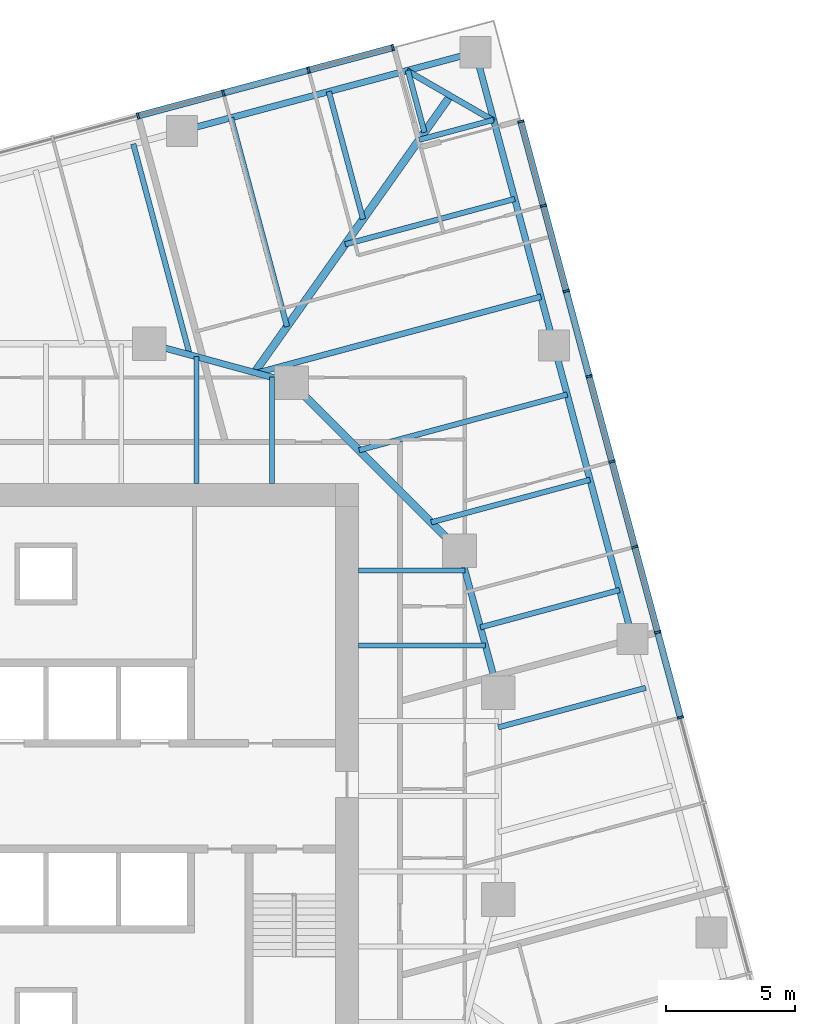
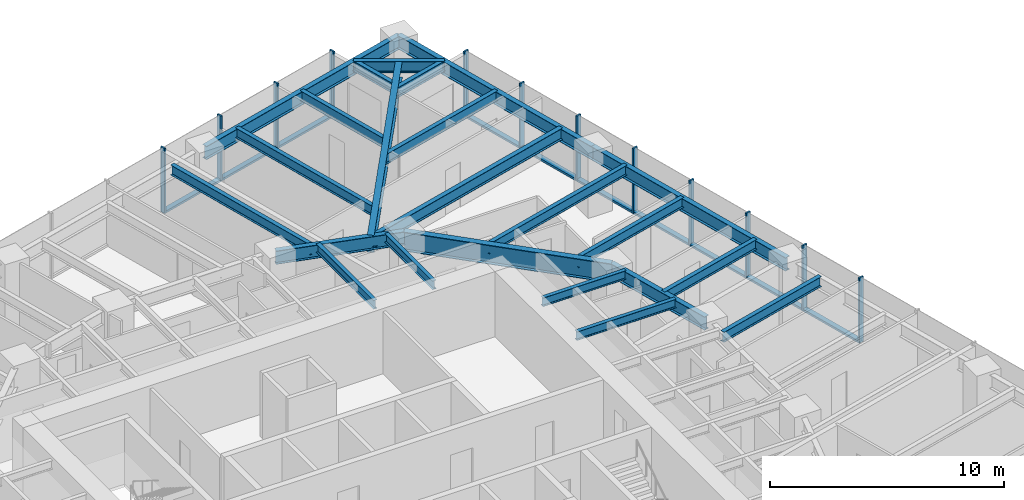
# One storey, part 6 of 14: 23 beams, 22 members, 2 elements without a shape of their own.
"""IFC4 building model written with IfcOpenShell, lengths in metres."""

from ifc_helpers import new_model, si_unit, direction, frame, origin, origin_2d, place, context, subcontext, project, spatial, rectangle, i_section, extrude, material, material_profile, profile_set, type_object, element, aggregate, save


model = new_model("IFC4")

# Units and contexts
model_context = context("Model", 3, precision=1e-05, world=origin(), true_north=direction((0.0, 1.0)))
body_context = subcontext(model_context, "Body", "Model", "MODEL_VIEW")
ifc_project = project(units=[si_unit("LENGTHUNIT", "METRE"), si_unit("AREAUNIT", "SQUARE_METRE"), si_unit("VOLUMEUNIT", "CUBIC_METRE"), si_unit("PLANEANGLEUNIT", "RADIAN"), si_unit("MASSUNIT", "GRAM", prefix="KILO")], contexts=[model_context])

# Site, building, storey
site_placement = place(None, origin())
site = spatial("IfcSite", under=ifc_project, at=site_placement, CompositionType="ELEMENT")
building_placement = place(site_placement, origin())
building = spatial("IfcBuilding", under=site, at=building_placement, Name="Torsade Residences", CompositionType="ELEMENT")
storey_placement = place(building_placement, frame((0.0, 0.0, 121.800048828125)))
storey = spatial("IfcBuildingStorey", under=building, at=storey_placement, Name="L33", CompositionType="ELEMENT", Elevation=121.800048828125)

# Beams
ifc_material_1 = material(Name="Steel grade 300", Category="steel")
ifc_material_profile_1 = material_profile(ifc_material_1, i_section(OverallWidth=0.300048828125, OverallDepth=0.89990234375, WebThickness=0.011962890625, FlangeThickness=0.02490234375, at=origin_2d()), Name="900WB175")
ifc_profile_set_1 = profile_set([ifc_material_profile_1], Name="Steel grade 300")
beam_type_1 = type_object("IfcBeamType", Name="CORNER GIRDER 900WB175", PredefinedType="BEAM", material=ifc_profile_set_1)
beam_1_placement = place(storey_placement, frame((55.644775390625, 57.097412109375, 2.800048828125), z_axis=(-0.577683167004, -0.816261084801, 0.0), x_axis=(0.816261084801, -0.577683167004, 0.0)))
element("IfcBeam", 1, at=beam_1_placement, inside=storey, type_object=beam_type_1, Name="Corner girder 09 L34", PredefinedType="BEAM", context=body_context, shape_type="SweptSolid", body=[
    extrude(i_section(OverallWidth=0.300048828125, OverallDepth=0.89990234375, WebThickness=0.011962890625, FlangeThickness=0.02490234375, at=origin_2d()), origin(), (0.0, 0.0, 1.0), 13.116943359375),
])
ifc_material_2 = material(Name="Steel grade 300", Category="steel")
ifc_material_profile_2 = material_profile(ifc_material_2, i_section(OverallWidth=0.22802734375, OverallDepth=0.60205078125, WebThickness=0.010498046875, FlangeThickness=0.014892578125, FilletRadius=0.013916015625, at=origin_2d()), Name="610UB101")
ifc_profile_set_2 = profile_set([ifc_material_profile_2], Name="Steel grade 300")
beam_type_2 = type_object("IfcBeamType", Name="CORNER TRIMMER 610UB101", PredefinedType="BEAM", material=ifc_profile_set_2)
beam_2_placement = place(storey_placement, frame((53.960693359375, 58.06982421875, 2.948974609375), z_axis=(0.866028782848, -0.499994147244, 0.0), x_axis=(0.499994147244, 0.866028782848, 0.0)))
element("IfcBeam", 2, at=beam_2_placement, inside=storey, type_object=beam_type_2, Name="Corner trimmer 09 L34", PredefinedType="BEAM", context=body_context, shape_type="SweptSolid", body=[
    extrude(i_section(OverallWidth=0.22802734375, OverallDepth=0.60205078125, WebThickness=0.010498046875, FlangeThickness=0.014892578125, FilletRadius=0.013916015625, at=origin_2d()), origin(), (0.0, 0.0, 1.0), 3.88916015625),
])
ifc_material_3 = material(Name="Steel grade 300", Category="steel")
ifc_material_profile_3 = material_profile(ifc_material_3, i_section(OverallWidth=0.25, OverallDepth=0.699951171875, WebThickness=0.010009765625, FlangeThickness=0.02001953125, at=origin_2d()), Name="700WB130")
ifc_profile_set_3 = profile_set([ifc_material_profile_3], Name="Steel grade 300")
beam_type_3 = type_object("IfcBeamType", Name="EDGE BEAM 700WB130", PredefinedType="SPANDREL", material=ifc_profile_set_3)
for number, where, z_axis, x_axis, name in (
    (3, (62.69921875, 36.082275390625, 2.89990234375), (-0.258810863021, 0.965928018634, 0.0), (-0.965928018634, -0.258810863021, 0.0), "Edge beam 07 L34"),
    (4, (59.658203125, 47.431884765625, 2.89990234375), (-0.258830249097, 0.965922824118, 0.0), (-0.965922824118, -0.258830249097, 0.0), "Edge beam 08 L34"),
    (5, (56.616943359375, 58.781494140625, 2.89990234375), (-0.965928018634, -0.258810863021, 0.0), (0.258810863021, -0.965928018634, 0.0), "Edge beam 09 L34"),
):
    element("IfcBeam", number, at=place(storey_placement, frame(where, z_axis=z_axis, x_axis=x_axis)), inside=storey, type_object=beam_type_3, Name=name, PredefinedType="SPANDREL", context=body_context, shape_type="SweptSolid", body=[
        extrude(i_section(OverallWidth=0.25, OverallDepth=0.699951171875, WebThickness=0.010009765625, FlangeThickness=0.02001953125, at=origin_2d()), origin(), (0.0, 0.0, 1.0), 11.75),
    ])
ifc_material_4 = material(Name="Steel grade 300", Category="steel")
ifc_material_profile_4 = material_profile(ifc_material_4, i_section(OverallWidth=0.18994140625, OverallDepth=0.4541015625, WebThickness=0.008544921875, FlangeThickness=0.0126953125, FilletRadius=0.011474609375, at=origin_2d()), Name="460UB67.1")
ifc_profile_set_4 = profile_set([ifc_material_profile_4], Name="Steel grade 300")
beam_type_4 = type_object("IfcBeamType", Name="INNER FLOOR BEAM 460UB67.1", PredefinedType="JOIST", material=ifc_profile_set_4)
beam_3_placement = place(storey_placement, frame((45.824951171875, 42.10009765625, 3.02294921875), z_axis=(0.0, 1.0, 0.0), x_axis=(-1.0, 0.0, 0.0)))
element("IfcBeam", 6, at=beam_3_placement, inside=storey, type_object=beam_type_4, Name="Inner floor beam IN06 L34", PredefinedType="JOIST", context=body_context, shape_type="SweptSolid", body=[
    extrude(i_section(OverallWidth=0.18994140625, OverallDepth=0.4541015625, WebThickness=0.008544921875, FlangeThickness=0.0126953125, FilletRadius=0.011474609375, at=origin_2d()), origin(), (0.0, 0.0, 1.0), 4.902099609375),
])
beam_4_placement = place(storey_placement, frame((48.737548828125, 42.10009765625, 3.02294921875), z_axis=(0.0, 1.0, 0.0), x_axis=(-1.0, 0.0, 0.0)))
element("IfcBeam", 7, at=beam_4_placement, inside=storey, type_object=beam_type_4, Name="Inner floor beam IN07 L34", PredefinedType="JOIST", context=body_context, shape_type="SweptSolid", body=[
    extrude(i_section(OverallWidth=0.18994140625, OverallDepth=0.4541015625, WebThickness=0.008544921875, FlangeThickness=0.0126953125, FilletRadius=0.011474609375, at=origin_2d()), origin(), (0.0, 0.0, 1.0), 4.10791015625),
])
beam_5_placement = place(storey_placement, frame((52.10009765625, 35.824951171875, 3.02294921875), z_axis=(1.0, 0.0, 0.0), x_axis=(0.0, 1.0, 0.0)))
element("IfcBeam", 8, at=beam_5_placement, inside=storey, type_object=beam_type_4, Name="Inner floor beam IE06 L34", PredefinedType="JOIST", context=body_context, shape_type="SweptSolid", body=[
    extrude(i_section(OverallWidth=0.18994140625, OverallDepth=0.4541015625, WebThickness=0.008544921875, FlangeThickness=0.0126953125, FilletRadius=0.011474609375, at=origin_2d()), origin(), (0.0, 0.0, 1.0), 4.902099609375),
])
beam_6_placement = place(storey_placement, frame((52.10009765625, 38.737548828125, 3.02294921875), z_axis=(1.0, 0.0, 0.0), x_axis=(0.0, 1.0, 0.0)))
element("IfcBeam", 9, at=beam_6_placement, inside=storey, type_object=beam_type_4, Name="Inner floor beam IE07 L34", PredefinedType="JOIST", context=body_context, shape_type="SweptSolid", body=[
    extrude(i_section(OverallWidth=0.18994140625, OverallDepth=0.4541015625, WebThickness=0.008544921875, FlangeThickness=0.0126953125, FilletRadius=0.011474609375, at=origin_2d()), origin(), (0.0, 0.0, 1.0), 4.10791015625),
])

# Curtain wall, members
ifc_material_5 = material(Name="Aluminium and glass", Category="aluminium")
curtain_wall_type = type_object("IfcCurtainWallType", Name="FRITTED GLASS CURTAIN WALL MID ZONE", PredefinedType="NOTDEFINED", material=ifc_material_5)
curtain_wall_1_placement = place(storey_placement, origin())
curtain_wall_1 = element("IfcCurtainWall", 10, at=curtain_wall_1_placement, inside=storey, type_object=curtain_wall_type, Name="Curtain wall L33 face 4", PredefinedType="NOTDEFINED")
ifc_material_6 = material(Name="Aluminium mullion", Category="aluminium")
ifc_material_profile_5 = material_profile(ifc_material_6, rectangle(XDim=0.25, YDim=0.080078125, at=origin_2d()), Name="MID ZONE CURTAIN WALL MULLION 250x80")
ifc_profile_set_5 = profile_set([ifc_material_profile_5], Name="Aluminium mullion")
member_type_1 = type_object("IfcMemberType", Name="MID ZONE CURTAIN WALL MULLION 250x80", PredefinedType="MULLION", material=ifc_profile_set_5)
member_1_placement = place(storey_placement, frame((64.549560546875, 33.040771484375, 0.0), z_axis=(0.0, 0.0, 1.0), x_axis=(-0.965925825571, -0.258819047783, 0.0)))
member_1 = element("IfcMember", 11, at=member_1_placement, type_object=member_type_1, Name="Mullion 6", PredefinedType="MULLION", context=body_context, shape_type="SweptSolid", body=[
    extrude(rectangle(XDim=0.25, YDim=0.080078125, at=origin_2d()), origin(), (0.0, 0.0, 1.0), 3.39990234375),
])
member_2_placement = place(storey_placement, frame((63.665283203125, 36.341064453125, 0.0), z_axis=(0.0, 0.0, 1.0), x_axis=(-0.965925825571, -0.258819047783, 0.0)))
member_2 = element("IfcMember", 12, at=member_2_placement, type_object=member_type_1, Name="Mullion 7", PredefinedType="MULLION", context=body_context, shape_type="SweptSolid", body=[
    extrude(rectangle(XDim=0.25, YDim=0.080078125, at=origin_2d()), origin(), (0.0, 0.0, 1.0), 3.39990234375),
])
member_3_placement = place(storey_placement, frame((62.781005859375, 39.641357421875, 0.0), z_axis=(0.0, 0.0, 1.0), x_axis=(-0.965925825571, -0.258819047783, 0.0)))
member_3 = element("IfcMember", 13, at=member_3_placement, type_object=member_type_1, Name="Mullion 8", PredefinedType="MULLION", context=body_context, shape_type="SweptSolid", body=[
    extrude(rectangle(XDim=0.25, YDim=0.080078125, at=origin_2d()), origin(), (0.0, 0.0, 1.0), 3.39990234375),
])
member_4_placement = place(storey_placement, frame((61.896484375, 42.941650390625, 0.0), z_axis=(0.0, 0.0, 1.0), x_axis=(-0.965925825571, -0.258819047783, 0.0)))
member_4 = element("IfcMember", 14, at=member_4_placement, type_object=member_type_1, Name="Mullion 9", PredefinedType="MULLION", context=body_context, shape_type="SweptSolid", body=[
    extrude(rectangle(XDim=0.25, YDim=0.080078125, at=origin_2d()), origin(), (0.0, 0.0, 1.0), 3.39990234375),
])
member_5_placement = place(storey_placement, frame((61.01220703125, 46.24169921875, 0.0), z_axis=(0.0, 0.0, 1.0), x_axis=(-0.965925825571, -0.258819047783, 0.0)))
member_5 = element("IfcMember", 15, at=member_5_placement, type_object=member_type_1, Name="Mullion 10", PredefinedType="MULLION", context=body_context, shape_type="SweptSolid", body=[
    extrude(rectangle(XDim=0.25, YDim=0.080078125, at=origin_2d()), origin(), (0.0, 0.0, 1.0), 3.39990234375),
])
member_6_placement = place(storey_placement, frame((60.1279296875, 49.5419921875, 0.0), z_axis=(0.0, 0.0, 1.0), x_axis=(-0.965925825571, -0.258819047783, 0.0)))
member_6 = element("IfcMember", 16, at=member_6_placement, type_object=member_type_1, Name="Mullion 11", PredefinedType="MULLION", context=body_context, shape_type="SweptSolid", body=[
    extrude(rectangle(XDim=0.25, YDim=0.080078125, at=origin_2d()), origin(), (0.0, 0.0, 1.0), 3.39990234375),
])
member_7_placement = place(storey_placement, frame((59.24365234375, 52.84228515625, 0.0), z_axis=(0.0, 0.0, 1.0), x_axis=(-0.965925825571, -0.258819047783, 0.0)))
member_7 = element("IfcMember", 17, at=member_7_placement, type_object=member_type_1, Name="Mullion 12", PredefinedType="MULLION", context=body_context, shape_type="SweptSolid", body=[
    extrude(rectangle(XDim=0.25, YDim=0.080078125, at=origin_2d()), origin(), (0.0, 0.0, 1.0), 3.39990234375),
])
member_8_placement = place(storey_placement, frame((58.36962890625, 56.10400390625, 0.0), z_axis=(0.0, 0.0, 1.0), x_axis=(-0.965925825571, -0.258819047783, 0.0)))
member_8 = element("IfcMember", 18, at=member_8_placement, type_object=member_type_1, Name="Mullion 13", PredefinedType="MULLION", context=body_context, shape_type="SweptSolid", body=[
    extrude(rectangle(XDim=0.25, YDim=0.080078125, at=origin_2d()), origin(), (0.0, 0.0, 1.0), 3.39990234375),
])

curtain_wall_2_placement = place(storey_placement, origin())
curtain_wall_2 = element("IfcCurtainWall", 19, at=curtain_wall_2_placement, inside=storey, type_object=curtain_wall_type, Name="Curtain wall L33 face 7", PredefinedType="NOTDEFINED")
member_9_placement = place(storey_placement, frame((53.421875, 58.960693359375, 0.0), z_axis=(0.0, 0.0, 1.0), x_axis=(0.258819047783, -0.965925825571, 0.0)))
member_9 = element("IfcMember", 20, at=member_9_placement, type_object=member_type_1, Name="Mullion 1", PredefinedType="MULLION", context=body_context, shape_type="SweptSolid", body=[
    extrude(rectangle(XDim=0.25, YDim=0.080078125, at=origin_2d()), origin(), (0.0, 0.0, 1.0), 3.39990234375),
])
member_10_placement = place(storey_placement, frame((50.16015625, 58.086669921875, 0.0), z_axis=(0.0, 0.0, 1.0), x_axis=(0.258819047783, -0.965925825571, 0.0)))
member_10 = element("IfcMember", 21, at=member_10_placement, type_object=member_type_1, Name="Mullion 2", PredefinedType="MULLION", context=body_context, shape_type="SweptSolid", body=[
    extrude(rectangle(XDim=0.25, YDim=0.080078125, at=origin_2d()), origin(), (0.0, 0.0, 1.0), 3.39990234375),
])
member_11_placement = place(storey_placement, frame((46.85986328125, 57.202392578125, 0.0), z_axis=(0.0, 0.0, 1.0), x_axis=(0.258819047783, -0.965925825571, 0.0)))
member_11 = element("IfcMember", 22, at=member_11_placement, type_object=member_type_1, Name="Mullion 3", PredefinedType="MULLION", context=body_context, shape_type="SweptSolid", body=[
    extrude(rectangle(XDim=0.25, YDim=0.080078125, at=origin_2d()), origin(), (0.0, 0.0, 1.0), 3.39990234375),
])
member_12_placement = place(storey_placement, frame((43.5595703125, 56.318115234375, 0.0), z_axis=(0.0, 0.0, 1.0), x_axis=(0.258819047783, -0.965925825571, 0.0)))
member_12 = element("IfcMember", 23, at=member_12_placement, type_object=member_type_1, Name="Mullion 4", PredefinedType="MULLION", context=body_context, shape_type="SweptSolid", body=[
    extrude(rectangle(XDim=0.25, YDim=0.080078125, at=origin_2d()), origin(), (0.0, 0.0, 1.0), 3.39990234375),
])

# Member
ifc_material_7 = material(Name="Aluminium transom", Category="aluminium")
ifc_material_profile_6 = material_profile(ifc_material_7, rectangle(XDim=0.25, YDim=0.110107421875, at=origin_2d()), Name="MID ZONE CURTAIN WALL TRANSOM 250x110")
ifc_profile_set_6 = profile_set([ifc_material_profile_6], Name="Aluminium transom")
member_type_2 = type_object("IfcMemberType", Name="MID ZONE CURTAIN WALL TRANSOM 250x110", PredefinedType="USERDEFINED", material=ifc_profile_set_6)
member_13_placement = place(storey_placement, frame((64.5390625, 33.079345703125, 0.054931640625), z_axis=(-0.258787285653, 0.965934335648, 0.0), x_axis=(-0.965934335648, -0.258787285653, 0.0)))
member_13 = element("IfcMember", 24, at=member_13_placement, type_object=member_type_2, Name="Transom 6.1", ObjectType="TRANSOM", PredefinedType="USERDEFINED", context=body_context, shape_type="SweptSolid", body=[
    extrude(rectangle(XDim=0.25, YDim=0.110107421875, at=origin_2d()), origin(), (0.0, 0.0, 1.0), 3.3369140625),
])

member_14_placement = place(storey_placement, frame((63.65478515625, 36.379638671875, 0.054931640625), z_axis=(-0.258787285653, 0.965934335648, 0.0), x_axis=(-0.965934335648, -0.258787285653, 0.0)))
member_14 = element("IfcMember", 25, at=member_14_placement, type_object=member_type_2, Name="Transom 7.1", ObjectType="TRANSOM", PredefinedType="USERDEFINED", context=body_context, shape_type="SweptSolid", body=[
    extrude(rectangle(XDim=0.25, YDim=0.110107421875, at=origin_2d()), origin(), (0.0, 0.0, 1.0), 3.3369140625),
])

member_15_placement = place(storey_placement, frame((62.7705078125, 39.679931640625, 0.054931640625), z_axis=(-0.258805576255, 0.965929435155, 0.0), x_axis=(-0.965929435155, -0.258805576255, 0.0)))
member_15 = element("IfcMember", 26, at=member_15_placement, type_object=member_type_2, Name="Transom 8.1", ObjectType="TRANSOM", PredefinedType="USERDEFINED", context=body_context, shape_type="SweptSolid", body=[
    extrude(rectangle(XDim=0.25, YDim=0.110107421875, at=origin_2d()), origin(), (0.0, 0.0, 1.0), 3.336669921875),
])

member_16_placement = place(storey_placement, frame((61.88623046875, 42.980224609375, 0.054931640625), z_axis=(-0.258805576255, 0.965929435155, 0.0), x_axis=(-0.965929435155, -0.258805576255, 0.0)))
member_16 = element("IfcMember", 27, at=member_16_placement, type_object=member_type_2, Name="Transom 9.1", ObjectType="TRANSOM", PredefinedType="USERDEFINED", context=body_context, shape_type="SweptSolid", body=[
    extrude(rectangle(XDim=0.25, YDim=0.110107421875, at=origin_2d()), origin(), (0.0, 0.0, 1.0), 3.336669921875),
])

member_17_placement = place(storey_placement, frame((61.001953125, 46.280517578125, 0.054931640625), z_axis=(-0.258805576255, 0.965929435155, 0.0), x_axis=(-0.965929435155, -0.258805576255, 0.0)))
member_17 = element("IfcMember", 28, at=member_17_placement, type_object=member_type_2, Name="Transom 10.1", ObjectType="TRANSOM", PredefinedType="USERDEFINED", context=body_context, shape_type="SweptSolid", body=[
    extrude(rectangle(XDim=0.25, YDim=0.110107421875, at=origin_2d()), origin(), (0.0, 0.0, 1.0), 3.336669921875),
])

member_18_placement = place(storey_placement, frame((60.11767578125, 49.580810546875, 0.054931640625), z_axis=(-0.258805576255, 0.965929435155, 0.0), x_axis=(-0.965929435155, -0.258805576255, 0.0)))
member_18 = element("IfcMember", 29, at=member_18_placement, type_object=member_type_2, Name="Transom 11.1", ObjectType="TRANSOM", PredefinedType="USERDEFINED", context=body_context, shape_type="SweptSolid", body=[
    extrude(rectangle(XDim=0.25, YDim=0.110107421875, at=origin_2d()), origin(), (0.0, 0.0, 1.0), 3.336669921875),
])

member_19_placement = place(storey_placement, frame((59.2333984375, 52.880859375, 0.054931640625), z_axis=(-0.258828627534, 0.965923258633, 0.0), x_axis=(-0.965923258633, -0.258828627534, 0.0)))
member_19 = element("IfcMember", 30, at=member_19_placement, type_object=member_type_2, Name="Transom 12.1", ObjectType="TRANSOM", PredefinedType="USERDEFINED", context=body_context, shape_type="SweptSolid", body=[
    extrude(rectangle(XDim=0.25, YDim=0.110107421875, at=origin_2d()), origin(), (0.0, 0.0, 1.0), 3.296630859375),
])

aggregate(curtain_wall_1, [member_1, member_2, member_3, member_4, member_5, member_6, member_7, member_8, member_13, member_14, member_15, member_16, member_17, member_18, member_19])

member_20_placement = place(storey_placement, frame((53.383056640625, 58.9501953125, 0.054931640625), z_axis=(-0.965923258633, -0.258828627534, 0.0), x_axis=(0.258828627534, -0.965923258633, 0.0)))
member_20 = element("IfcMember", 31, at=member_20_placement, type_object=member_type_2, Name="Transom 1.1", ObjectType="TRANSOM", PredefinedType="USERDEFINED", context=body_context, shape_type="SweptSolid", body=[
    extrude(rectangle(XDim=0.25, YDim=0.110107421875, at=origin_2d()), origin(), (0.0, 0.0, 1.0), 3.296630859375),
])

member_21_placement = place(storey_placement, frame((50.12158203125, 58.076416015625, 0.054931640625), z_axis=(-0.965916044226, -0.258855549498, 0.0), x_axis=(0.258855549498, -0.965916044226, 0.0)))
member_21 = element("IfcMember", 32, at=member_21_placement, type_object=member_type_2, Name="Transom 2.1", ObjectType="TRANSOM", PredefinedType="USERDEFINED", context=body_context, shape_type="SweptSolid", body=[
    extrude(rectangle(XDim=0.25, YDim=0.110107421875, at=origin_2d()), origin(), (0.0, 0.0, 1.0), 3.3369140625),
])

member_22_placement = place(storey_placement, frame((46.8212890625, 57.192138671875, 0.054931640625), z_axis=(-0.96591114124, -0.258873844232, 0.0), x_axis=(0.258873844232, -0.96591114124, 0.0)))
member_22 = element("IfcMember", 33, at=member_22_placement, type_object=member_type_2, Name="Transom 3.1", ObjectType="TRANSOM", PredefinedType="USERDEFINED", context=body_context, shape_type="SweptSolid", body=[
    extrude(rectangle(XDim=0.25, YDim=0.110107421875, at=origin_2d()), origin(), (0.0, 0.0, 1.0), 3.336669921875),
])

aggregate(curtain_wall_2, [member_9, member_10, member_11, member_12, member_20, member_21, member_22])

# Beams
ifc_material_8 = material(Name="Steel grade 300", Category="steel")
ifc_material_profile_7 = material_profile(ifc_material_8, i_section(OverallWidth=0.300048828125, OverallDepth=1.0, WebThickness=0.01611328125, FlangeThickness=0.028076171875, at=origin_2d()), Name="1000WB215")
ifc_profile_set_7 = profile_set([ifc_material_profile_7], Name="Steel grade 300")
beam_type_5 = type_object("IfcBeamType", Name="RING CORNER GIRDER 1000WB215", PredefinedType="BEAM", material=ifc_profile_set_7)
beam_7_placement = place(storey_placement, frame((56.0, 39.5, 2.75), z_axis=(-0.707106781187, 0.707106781187, 0.0), x_axis=(-0.707106781187, -0.707106781187, 0.0)))
element("IfcBeam", 34, at=beam_7_placement, inside=storey, type_object=beam_type_5, Name="Ring girder IR03 L34", PredefinedType="BEAM", context=body_context, shape_type="SweptSolid", body=[
    extrude(i_section(OverallWidth=0.300048828125, OverallDepth=1.0, WebThickness=0.01611328125, FlangeThickness=0.028076171875, at=origin_2d()), origin(), (0.0, 0.0, 1.0), 9.1923828125),
])
ifc_material_9 = material(Name="Steel grade 300", Category="steel")
ifc_material_profile_8 = material_profile(ifc_material_9, i_section(OverallWidth=0.25, OverallDepth=0.699951171875, WebThickness=0.010009765625, FlangeThickness=0.02001953125, at=origin_2d()), Name="700WB130")
ifc_profile_set_8 = profile_set([ifc_material_profile_8], Name="Steel grade 300")
beam_type_6 = type_object("IfcBeamType", Name="RING GIRDER 700WB130", PredefinedType="BEAM", material=ifc_profile_set_8)
for number, where, z_axis, x_axis, name in (
    (35, (57.5, 34.0, 2.89990234375), (-0.263117405792, 0.964763821238, 0.0), (-0.964763821238, -0.263117405792, 0.0), "Ring girder IR02 L34"),
    (36, (49.5, 46.0, 2.89990234375), (-0.964763821238, 0.263117405792, 0.0), (-0.263117405792, -0.964763821238, 0.0), "Ring girder IR04 L34"),
):
    element("IfcBeam", number, at=place(storey_placement, frame(where, z_axis=z_axis, x_axis=x_axis)), inside=storey, type_object=beam_type_6, Name=name, PredefinedType="BEAM", context=body_context, shape_type="SweptSolid", body=[
        extrude(i_section(OverallWidth=0.25, OverallDepth=0.699951171875, WebThickness=0.010009765625, FlangeThickness=0.02001953125, at=origin_2d()), origin(), (0.0, 0.0, 1.0), 5.700927734375),
    ])
ifc_material_10 = material(Name="Steel grade 300", Category="steel")
ifc_material_profile_9 = material_profile(ifc_material_10, i_section(OverallWidth=0.208984375, OverallDepth=0.528076171875, WebThickness=0.009521484375, FlangeThickness=0.01318359375, FilletRadius=0.013916015625, at=origin_2d()), Name="530UB82.0")
ifc_profile_set_9 = profile_set([ifc_material_profile_9], Name="Steel grade 300")
beam_type_7 = type_object("IfcBeamType", Name="SECONDARY BEAM 530UB82.0", PredefinedType="JOIST", material=ifc_profile_set_9)
beam_8_placement = place(storey_placement, frame((63.2060546875, 34.190673828125, 2.98583984375), z_axis=(-0.965920748174, -0.258837996141, 0.0), x_axis=(0.258837996141, -0.965920748174, 0.0)))
element("IfcBeam", 37, at=beam_8_placement, inside=storey, type_object=beam_type_7, Name="Floor beam FE06 L34", PredefinedType="JOIST", context=body_context, shape_type="SweptSolid", body=[
    extrude(i_section(OverallWidth=0.208984375, OverallDepth=0.528076171875, WebThickness=0.009521484375, FlangeThickness=0.01318359375, FilletRadius=0.013916015625, at=origin_2d()), origin(), (0.0, 0.0, 1.0), 5.907470703125),
])
beam_9_placement = place(storey_placement, frame((62.1923828125, 37.973876953125, 2.98583984375), z_axis=(-0.965923020144, -0.258829517553, 0.0), x_axis=(0.258829517553, -0.965923020144, 0.0)))
element("IfcBeam", 38, at=beam_9_placement, inside=storey, type_object=beam_type_7, Name="Floor beam FE07 L34", PredefinedType="JOIST", context=body_context, shape_type="SweptSolid", body=[
    extrude(i_section(OverallWidth=0.208984375, OverallDepth=0.528076171875, WebThickness=0.009521484375, FlangeThickness=0.01318359375, FilletRadius=0.013916015625, at=origin_2d()), origin(), (0.0, 0.0, 1.0), 5.57275390625),
])
beam_10_placement = place(storey_placement, frame((61.04931640625, 42.239990234375, 2.98583984375), z_axis=(-0.965929717932, -0.258804520856, 0.0), x_axis=(0.258804520856, -0.965929717932, 0.0)))
element("IfcBeam", 39, at=beam_10_placement, inside=storey, type_object=beam_type_7, Name="Floor beam FE08 L34", PredefinedType="JOIST", context=body_context, shape_type="SweptSolid", body=[
    extrude(i_section(OverallWidth=0.208984375, OverallDepth=0.528076171875, WebThickness=0.009521484375, FlangeThickness=0.01318359375, FilletRadius=0.013916015625, at=origin_2d()), origin(), (0.0, 0.0, 1.0), 6.360107421875),
])
beam_11_placement = place(storey_placement, frame((60.1650390625, 45.540283203125, 2.98583984375), z_axis=(-0.96592202475, -0.258833232221, 0.0), x_axis=(0.258833232221, -0.96592202475, 0.0)))
element("IfcBeam", 40, at=beam_11_placement, inside=storey, type_object=beam_type_7, Name="Floor beam FE09 L34", PredefinedType="JOIST", context=body_context, shape_type="SweptSolid", body=[
    extrude(i_section(OverallWidth=0.208984375, OverallDepth=0.528076171875, WebThickness=0.009521484375, FlangeThickness=0.01318359375, FilletRadius=0.013916015625, at=origin_2d()), origin(), (0.0, 0.0, 1.0), 8.33251953125),
])
beam_12_placement = place(storey_placement, frame((58.137451171875, 53.106689453125, 2.98583984375), z_axis=(-0.965927035229, -0.258814533235, 0.0), x_axis=(0.258814533235, -0.965927035229, 0.0)))
element("IfcBeam", 41, at=beam_12_placement, inside=storey, type_object=beam_type_7, Name="Floor beam FE11 L34", PredefinedType="JOIST", context=body_context, shape_type="SweptSolid", body=[
    extrude(i_section(OverallWidth=0.208984375, OverallDepth=0.528076171875, WebThickness=0.009521484375, FlangeThickness=0.01318359375, FilletRadius=0.013916015625, at=origin_2d()), origin(), (0.0, 0.0, 1.0), 6.792724609375),
])
beam_13_placement = place(storey_placement, frame((57.31787109375, 56.16552734375, 2.98583984375), z_axis=(-0.965913310475, -0.258865750242, 0.0), x_axis=(0.258865750242, -0.965913310475, 0.0)))
element("IfcBeam", 42, at=beam_13_placement, inside=storey, type_object=beam_type_7, Name="Floor beam FE12 L34", PredefinedType="JOIST", context=body_context, shape_type="SweptSolid", body=[
    extrude(i_section(OverallWidth=0.208984375, OverallDepth=0.528076171875, WebThickness=0.009521484375, FlangeThickness=0.01318359375, FilletRadius=0.013916015625, at=origin_2d()), origin(), (0.0, 0.0, 1.0), 2.980224609375),
])
beam_14_placement = place(storey_placement, frame((54.0009765625, 58.08056640625, 2.98583984375), z_axis=(0.258837674225, -0.965920834438, 0.0), x_axis=(0.965920834438, 0.258837674225, 0.0)))
element("IfcBeam", 43, at=beam_14_placement, inside=storey, type_object=beam_type_7, Name="Floor beam FN01 L34", PredefinedType="JOIST", context=body_context, shape_type="SweptSolid", body=[
    extrude(i_section(OverallWidth=0.208984375, OverallDepth=0.528076171875, WebThickness=0.009521484375, FlangeThickness=0.01318359375, FilletRadius=0.013916015625, at=origin_2d()), origin(), (0.0, 0.0, 1.0), 2.482666015625),
])
beam_15_placement = place(storey_placement, frame((50.942138671875, 57.260986328125, 2.98583984375), z_axis=(0.258815647274, -0.965926736728, 0.0), x_axis=(0.965926736728, 0.258815647274, 0.0)))
element("IfcBeam", 44, at=beam_15_placement, inside=storey, type_object=beam_type_7, Name="Floor beam FN02 L34", PredefinedType="JOIST", context=body_context, shape_type="SweptSolid", body=[
    extrude(i_section(OverallWidth=0.208984375, OverallDepth=0.528076171875, WebThickness=0.009521484375, FlangeThickness=0.01318359375, FilletRadius=0.013916015625, at=origin_2d()), origin(), (0.0, 0.0, 1.0), 5.11279296875),
])
beam_16_placement = place(storey_placement, frame((47.158935546875, 56.247314453125, 2.98583984375), z_axis=(0.258823120582, -0.965924734258, 0.0), x_axis=(0.965924734258, 0.258823120582, 0.0)))
element("IfcBeam", 45, at=beam_16_placement, inside=storey, type_object=beam_type_7, Name="Floor beam FN03 L34", PredefinedType="JOIST", context=body_context, shape_type="SweptSolid", body=[
    extrude(i_section(OverallWidth=0.208984375, OverallDepth=0.528076171875, WebThickness=0.009521484375, FlangeThickness=0.01318359375, FilletRadius=0.013916015625, at=origin_2d()), origin(), (0.0, 0.0, 1.0), 8.365966796875),
])
beam_17_placement = place(storey_placement, frame((43.375732421875, 55.233642578125, 2.98583984375), z_axis=(0.258808315464, -0.965928701223, 0.0), x_axis=(0.965928701223, 0.258808315464, 0.0)))
element("IfcBeam", 46, at=beam_17_placement, inside=storey, type_object=beam_type_7, Name="Floor beam FN04 L34", PredefinedType="JOIST", context=body_context, shape_type="SweptSolid", body=[
    extrude(i_section(OverallWidth=0.208984375, OverallDepth=0.528076171875, WebThickness=0.009521484375, FlangeThickness=0.01318359375, FilletRadius=0.013916015625, at=origin_2d()), origin(), (0.0, 0.0, 1.0), 8.447509765625),
])
ifc_material_11 = material(Name="Steel grade 300", Category="steel")
ifc_material_profile_10 = material_profile(ifc_material_11, i_section(OverallWidth=0.22900390625, OverallDepth=0.612060546875, WebThickness=0.011962890625, FlangeThickness=0.01953125, FilletRadius=0.013916015625, at=origin_2d()), Name="610UB125")
ifc_profile_set_10 = profile_set([ifc_material_profile_10], Name="Steel grade 300")
beam_type_8 = type_object("IfcBeamType", Name="SECONDARY BEAM 610UB125", PredefinedType="JOIST", material=ifc_profile_set_10)
beam_18_placement = place(storey_placement, frame((59.1513671875, 49.323486328125, 2.94384765625), z_axis=(-0.965929035417, -0.258807068179, 0.0), x_axis=(0.258807068179, -0.965929035417, 0.0)))
element("IfcBeam", 47, at=beam_18_placement, inside=storey, type_object=beam_type_8, Name="Floor beam FE10 L34", PredefinedType="JOIST", context=body_context, shape_type="SweptSolid", body=[
    extrude(i_section(OverallWidth=0.22900390625, OverallDepth=0.612060546875, WebThickness=0.011962890625, FlangeThickness=0.01953125, FilletRadius=0.013916015625, at=origin_2d()), origin(), (0.0, 0.0, 1.0), 11.40380859375),
])

save(model, "model.ifc")
